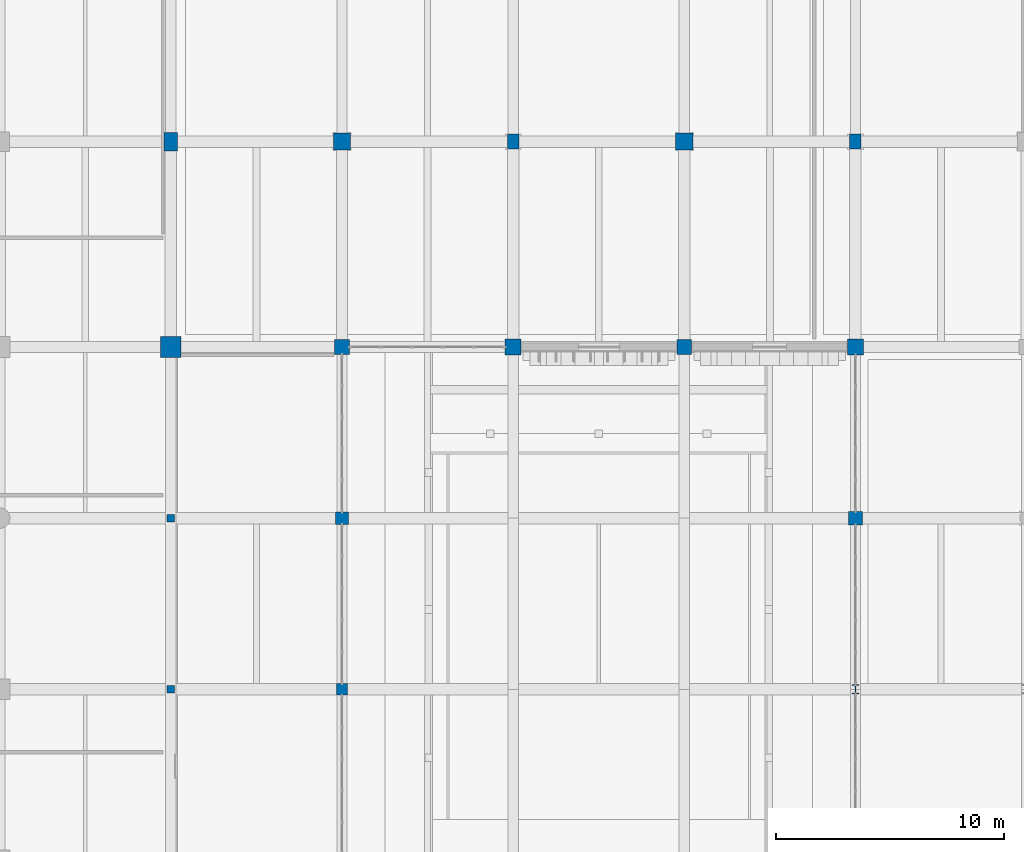
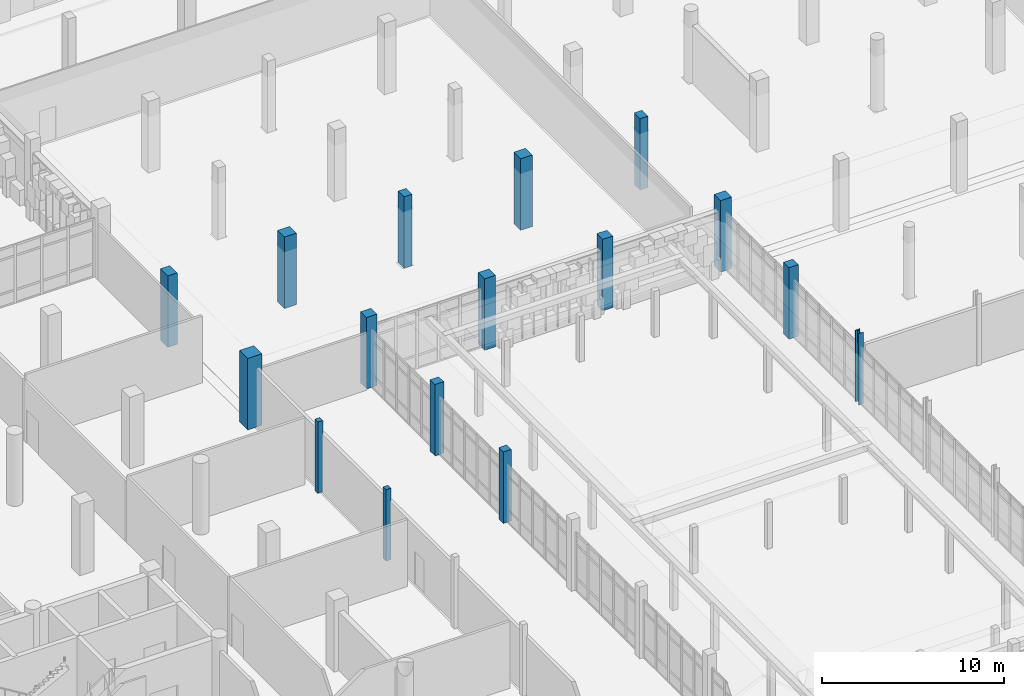
# One storey, part 8 of 125: 16 columns.
"""IFC4 building model written with IfcOpenShell, lengths in metres."""

from ifc_helpers import new_model, si_unit, direction, frame, origin, origin_2d, place, context, subcontext, project, spatial, rectangle, i_section, extrude, material, material_profile, profile_set, type_object, element, save


model = new_model("IFC4")

# Units and contexts
model_context = context("Model", 3, precision=1e-05, world=origin(), true_north=direction((0.0, 1.0)))
body_context = subcontext(model_context, "Body", "Model", "MODEL_VIEW")
ifc_project = project(units=[si_unit("LENGTHUNIT", "METRE"), si_unit("AREAUNIT", "SQUARE_METRE"), si_unit("VOLUMEUNIT", "CUBIC_METRE"), si_unit("PLANEANGLEUNIT", "RADIAN"), si_unit("MASSUNIT", "GRAM", prefix="KILO")], contexts=[model_context])

# Site, building, storey
site_placement = place(None, origin())
site = spatial("IfcSite", under=ifc_project, at=site_placement, CompositionType="ELEMENT")
building_placement = place(site_placement, origin())
building = spatial("IfcBuilding", under=site, at=building_placement, Name="Dalvernix Boulevard General Hospital", CompositionType="ELEMENT")
storey_placement = place(building_placement, origin())
storey = spatial("IfcBuildingStorey", under=building, at=storey_placement, Name="L00", CompositionType="ELEMENT", Elevation=0.0)

# Columns
ifc_material_1 = material(Name="Concrete C40/50", Category="concrete")
ifc_material_profile_1 = material_profile(ifc_material_1, rectangle(XDim=0.89990234375, YDim=0.89990234375, at=origin_2d()), Name="RC 900x900")
ifc_profile_set_1 = profile_set([ifc_material_profile_1], Name="Concrete C40/50")
column_type_1 = type_object("IfcColumnType", Name="COL-C-01-I", PredefinedType="COLUMN", material=ifc_profile_set_1)
column_1_placement = place(storey_placement, frame((30.0, 76.5, 0.0), z_axis=(0.0, 0.0, 1.0), x_axis=(1.0, 0.0, 0.0)))
element("IfcColumn", 1, at=column_1_placement, inside=storey, type_object=column_type_1, Name="L00 column 5L", PredefinedType="COLUMN", context=body_context, shape_type="SweptSolid", body=[
    extrude(rectangle(XDim=0.89990234375, YDim=0.89990234375, at=origin_2d()), origin(), (0.0, 0.0, 1.0), 4.800048828125),
])
ifc_material_profile_2 = material_profile(ifc_material_1, rectangle(XDim=0.75, YDim=0.75, at=origin_2d()), Name="RC 750x750")
ifc_profile_set_2 = profile_set([ifc_material_profile_2], Name="Concrete C40/50")
column_type_2 = type_object("IfcColumnType", Name="COL-C-04-I", PredefinedType="COLUMN", material=ifc_profile_set_2)
for number, where, z_axis, x_axis, name in (
    (2, (37.5, 85.5, 0.0), (0.0, 0.0, 1.0), (1.0, 0.0, 0.0), "L00 column 6M"),
    (3, (52.5, 85.5, 0.0), (0.0, 0.0, 1.0), (1.0, 0.0, 0.0), "L00 column 8M"),
):
    element("IfcColumn", number, at=place(storey_placement, frame(where, z_axis=z_axis, x_axis=x_axis)), inside=storey, type_object=column_type_2, Name=name, PredefinedType="COLUMN", context=body_context, shape_type="SweptSolid", body=[
        extrude(rectangle(XDim=0.75, YDim=0.75, at=origin_2d()), origin(), (0.0, 0.0, 1.0), 4.800048828125),
    ])
ifc_material_profile_3 = material_profile(ifc_material_1, rectangle(XDim=0.699951171875, YDim=0.699951171875, at=origin_2d()), Name="RC 700x700")
ifc_profile_set_3 = profile_set([ifc_material_profile_3], Name="Concrete C40/50")
column_type_3 = type_object("IfcColumnType", Name="COL-C-05-E", PredefinedType="COLUMN", material=ifc_profile_set_3)
for number, where, z_axis, x_axis, name in (
    (4, (45.0, 76.5, 0.0), (0.0, 0.0, 1.0), (1.0, 0.0, 0.0), "L00 column 7L"),
    (5, (60.0, 76.5, 0.0), (0.0, 0.0, 1.0), (1.0, 0.0, 0.0), "L00 column 9L"),
):
    element("IfcColumn", number, at=place(storey_placement, frame(where, z_axis=z_axis, x_axis=x_axis)), inside=storey, type_object=column_type_3, Name=name, PredefinedType="COLUMN", context=body_context, shape_type="SweptSolid", body=[
        extrude(rectangle(XDim=0.699951171875, YDim=0.699951171875, at=origin_2d()), origin(), (0.0, 0.0, 1.0), 4.800048828125),
    ])
ifc_material_profile_4 = material_profile(ifc_material_1, rectangle(XDim=0.64990234375, YDim=0.64990234375, at=origin_2d()), Name="RC 650x650")
ifc_profile_set_4 = profile_set([ifc_material_profile_4], Name="Concrete C40/50")
column_type_4 = type_object("IfcColumnType", Name="COL-C-06-E", PredefinedType="COLUMN", material=ifc_profile_set_4)
for number, where, z_axis, x_axis, name in (
    (6, (37.5, 76.5, 0.0), (0.0, 0.0, 1.0), (1.0, 0.0, 0.0), "L00 column 6L"),
    (7, (52.5, 76.5, 0.0), (0.0, 0.0, 1.0), (1.0, 0.0, 0.0), "L00 column 8L"),
):
    element("IfcColumn", number, at=place(storey_placement, frame(where, z_axis=z_axis, x_axis=x_axis)), inside=storey, type_object=column_type_4, Name=name, PredefinedType="COLUMN", context=body_context, shape_type="SweptSolid", body=[
        extrude(rectangle(XDim=0.64990234375, YDim=0.64990234375, at=origin_2d()), origin(), (0.0, 0.0, 1.0), 4.800048828125),
    ])
ifc_material_profile_5 = material_profile(ifc_material_1, rectangle(XDim=0.60009765625, YDim=0.60009765625, at=origin_2d()), Name="RC 600x600")
ifc_profile_set_5 = profile_set([ifc_material_profile_5], Name="Concrete C40/50")
column_type_5 = type_object("IfcColumnType", Name="COL-C-07-E", PredefinedType="COLUMN", material=ifc_profile_set_5)
column_2_placement = place(storey_placement, frame((60.0, 69.0, 0.0), z_axis=(0.0, 0.0, 1.0), x_axis=(1.0, 0.0, 0.0)))
element("IfcColumn", 8, at=column_2_placement, inside=storey, type_object=column_type_5, Name="L00 column 9K", PredefinedType="COLUMN", context=body_context, shape_type="SweptSolid", body=[
    extrude(rectangle(XDim=0.60009765625, YDim=0.60009765625, at=origin_2d()), origin(), (0.0, 0.0, 1.0), 4.800048828125),
])
ifc_material_profile_6 = material_profile(ifc_material_1, rectangle(XDim=0.550048828125, YDim=0.550048828125, at=origin_2d()), Name="RC 550x550")
ifc_profile_set_6 = profile_set([ifc_material_profile_6], Name="Concrete C40/50")
column_type_6 = type_object("IfcColumnType", Name="COL-C-08-E", PredefinedType="COLUMN", material=ifc_profile_set_6)
column_3_placement = place(storey_placement, frame((37.5, 69.0, 0.0), z_axis=(0.0, 0.0, 1.0), x_axis=(1.0, 0.0, 0.0)))
element("IfcColumn", 9, at=column_3_placement, inside=storey, type_object=column_type_6, Name="L00 column 6K", PredefinedType="COLUMN", context=body_context, shape_type="SweptSolid", body=[
    extrude(rectangle(XDim=0.550048828125, YDim=0.550048828125, at=origin_2d()), origin(), (0.0, 0.0, 1.0), 4.800048828125),
])
ifc_material_profile_7 = material_profile(ifc_material_1, rectangle(XDim=0.5, YDim=0.5, at=origin_2d()), Name="RC 500x500")
ifc_profile_set_7 = profile_set([ifc_material_profile_7], Name="Concrete C40/50")
column_type_7 = type_object("IfcColumnType", Name="COL-C-09-E", PredefinedType="COLUMN", material=ifc_profile_set_7)
column_4_placement = place(storey_placement, frame((37.5, 61.5, 0.0), z_axis=(0.0, 0.0, 1.0), x_axis=(1.0, 0.0, 0.0)))
element("IfcColumn", 10, at=column_4_placement, inside=storey, type_object=column_type_7, Name="L00 column 6J", PredefinedType="COLUMN", context=body_context, shape_type="SweptSolid", body=[
    extrude(rectangle(XDim=0.5, YDim=0.5, at=origin_2d()), origin(), (0.0, 0.0, 1.0), 4.800048828125),
])
ifc_material_profile_8 = material_profile(ifc_material_1, rectangle(XDim=0.60009765625, YDim=0.800048828125, at=origin_2d()), Name="RC 600x800")
ifc_profile_set_8 = profile_set([ifc_material_profile_8], Name="Concrete C40/50")
column_type_8 = type_object("IfcColumnType", Name="COL-C-11-I", PredefinedType="COLUMN", material=ifc_profile_set_8)
column_5_placement = place(storey_placement, frame((30.0, 85.5, 0.0), z_axis=(0.0, 0.0, 1.0), x_axis=(1.0, 0.0, 0.0)))
element("IfcColumn", 11, at=column_5_placement, inside=storey, type_object=column_type_8, Name="L00 column 5M", PredefinedType="COLUMN", context=body_context, shape_type="SweptSolid", body=[
    extrude(rectangle(XDim=0.60009765625, YDim=0.800048828125, at=origin_2d()), origin(), (0.0, 0.0, 1.0), 4.800048828125),
])
ifc_material_profile_9 = material_profile(ifc_material_1, rectangle(XDim=0.5, YDim=0.64990234375, at=origin_2d()), Name="RC 500x650")
ifc_profile_set_9 = profile_set([ifc_material_profile_9], Name="Concrete C40/50")
column_type_9 = type_object("IfcColumnType", Name="COL-C-12-I", PredefinedType="COLUMN", material=ifc_profile_set_9)
for number, where, z_axis, x_axis, name in (
    (12, (45.0, 85.5, 0.0), (0.0, 0.0, 1.0), (1.0, 0.0, 0.0), "L00 column 7M"),
    (13, (60.0, 85.5, 0.0), (0.0, 0.0, 1.0), (1.0, 0.0, 0.0), "L00 column 9M"),
):
    element("IfcColumn", number, at=place(storey_placement, frame(where, z_axis=z_axis, x_axis=x_axis)), inside=storey, type_object=column_type_9, Name=name, PredefinedType="COLUMN", context=body_context, shape_type="SweptSolid", body=[
        extrude(rectangle(XDim=0.5, YDim=0.64990234375, at=origin_2d()), origin(), (0.0, 0.0, 1.0), 4.800048828125),
    ])
ifc_material_2 = material(Name="Steel S355", Category="steel")
ifc_material_profile_10 = material_profile(ifc_material_2, i_section(OverallWidth=0.300048828125, OverallDepth=0.39990234375, WebThickness=0.013427734375, FlangeThickness=0.02392578125, FilletRadius=0.027099609375, at=origin_2d()), Name="HEB 400")
ifc_profile_set_10 = profile_set([ifc_material_profile_10], Name="Steel S355")
column_type_10 = type_object("IfcColumnType", Name="COL-C-16-E", PredefinedType="COLUMN", material=ifc_profile_set_10)
column_6_placement = place(storey_placement, frame((60.0, 61.5, 0.0), z_axis=(0.0, 0.0, 1.0), x_axis=(1.0, 0.0, 0.0)))
element("IfcColumn", 14, at=column_6_placement, inside=storey, type_object=column_type_10, Name="L00 column 9J", PredefinedType="COLUMN", context=body_context, shape_type="SweptSolid", body=[
    extrude(i_section(OverallWidth=0.300048828125, OverallDepth=0.39990234375, WebThickness=0.013427734375, FlangeThickness=0.02392578125, FilletRadius=0.027099609375, at=origin_2d()), origin(), (0.0, 0.0, 1.0), 4.800048828125),
])
ifc_material_3 = material(Name="Glulam GL28h", Category="wood")
ifc_material_profile_11 = material_profile(ifc_material_3, rectangle(XDim=0.320068359375, YDim=0.320068359375, at=origin_2d()), Name="GL28h 320x320")
ifc_profile_set_11 = profile_set([ifc_material_profile_11], Name="Glulam GL28h")
column_type_11 = type_object("IfcColumnType", Name="COL-C-20-I", PredefinedType="COLUMN", material=ifc_profile_set_11)
for number, where, z_axis, x_axis, name in (
    (15, (30.0, 61.5, 0.0), (0.0, 0.0, 1.0), (1.0, 0.0, 0.0), "L00 column 5J"),
    (16, (30.0, 69.0, 0.0), (0.0, 0.0, 1.0), (1.0, 0.0, 0.0), "L00 column 5K"),
):
    element("IfcColumn", number, at=place(storey_placement, frame(where, z_axis=z_axis, x_axis=x_axis)), inside=storey, type_object=column_type_11, Name=name, PredefinedType="COLUMN", context=body_context, shape_type="SweptSolid", body=[
        extrude(rectangle(XDim=0.320068359375, YDim=0.320068359375, at=origin_2d()), origin(), (0.0, 0.0, 1.0), 4.800048828125),
    ])

save(model, "model.ifc")
